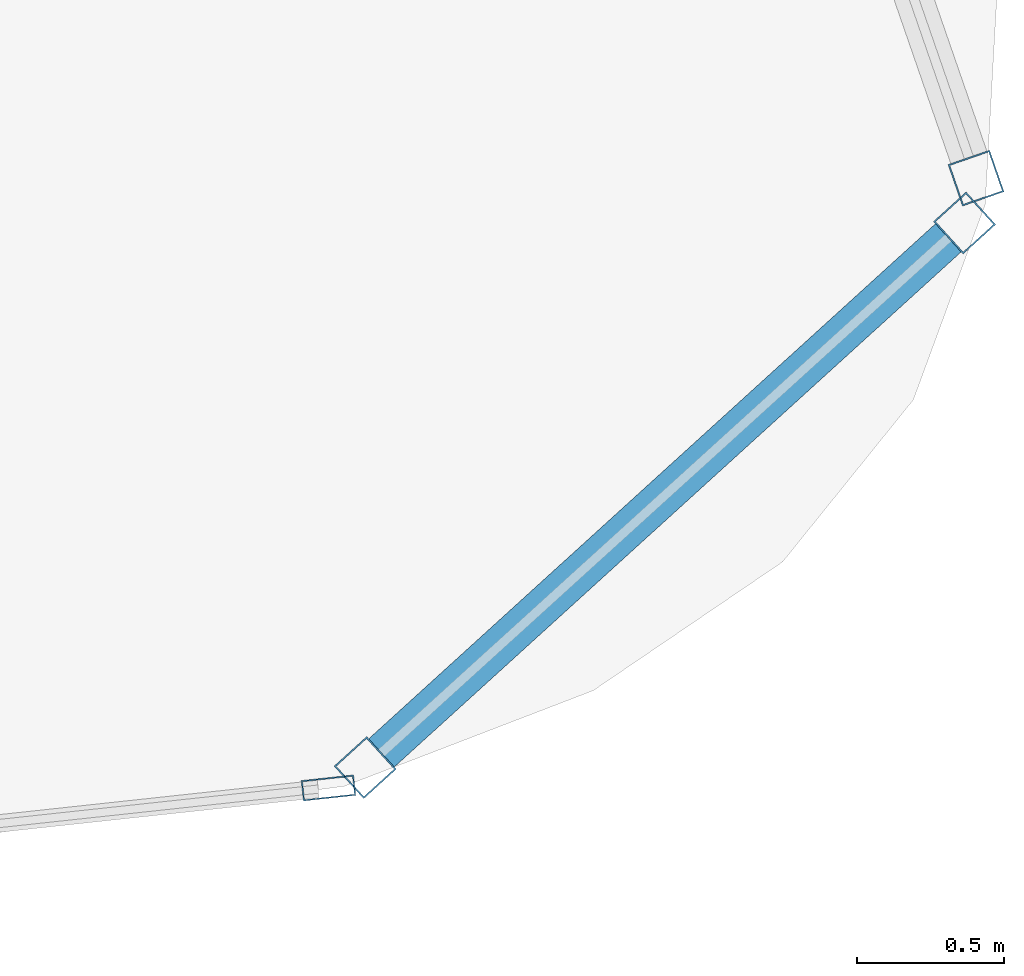
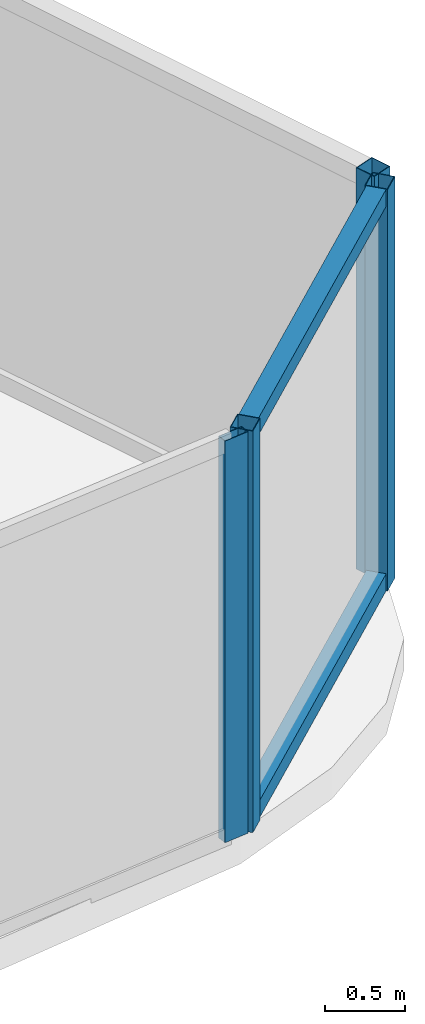
# One storey, part 16 of 37: 6 members, 3 elements without a shape of their own.
"""IFC4 building model written with IfcOpenShell, lengths in metres."""

import ifcopenshell
import ifcopenshell.guid

model = None  # the IFC model being written
_history = None  # IfcOwnerHistory: only IFC2X3 demands one
_inside = {}  # id of a spatial element -> (the spatial element, [elements in it])
_under = {}  # id of a project, library or spatial element -> (it, [spatial elements below it])
_declared = {}  # id of a project -> (the project, [libraries it declares])
_typed = {}  # id of a type object -> (the type object, [elements of that type])
_made_of = {}  # id of a material, layer set ... -> (it, [elements and type objects made of it])


def new_model(schema):
    """Start an empty IFC model of exactly this schema.

    Asked for "IFC4X3", IfcOpenShell would pick the latest addendum, in which some entities
    have other attributes; the version numbers below select the first issue.
    IFC2X3 requires an IfcOwnerHistory on every rooted entity: one is made here for all.
    """
    global model, _history
    if schema == "IFC4X3":
        model = ifcopenshell.file(schema_version=(4, 3, 0, 0))
    else:
        model = ifcopenshell.file(schema=schema)
    _inside.clear()
    _under.clear()
    _declared.clear()
    _typed.clear()
    _made_of.clear()
    _history = None
    if model.schema == "IFC2X3":
        org = make("IfcOrganization", Name="unknown")
        user = make(
            "IfcPersonAndOrganization",
            ThePerson=make("IfcPerson", FamilyName="unknown"),
            TheOrganization=org,
        )
        app = make(
            "IfcApplication",
            ApplicationDeveloper=org,
            Version="unknown",
            ApplicationFullName="unknown",
            ApplicationIdentifier="unknown",
        )
        _history = make(
            "IfcOwnerHistory",
            OwningUser=user,
            OwningApplication=app,
            ChangeAction="ADDED",
            CreationDate=0,
        )
    return model


def make(cls, **values):
    """One entity of the class cls with the attributes given. An attribute that is None is left unset."""
    return model.create_entity(
        cls, **{name: value for name, value in values.items() if value is not None}
    )


def rooted(cls, **values):
    """An entity with a GlobalId (a new one), such as an element, a storey or a relation."""
    return make(cls, GlobalId=ifcopenshell.guid.new(), OwnerHistory=_history, **values)


def si_unit(unit_type, name, prefix=None):
    """IfcSIUnit, for example si_unit("LENGTHUNIT", "METRE", prefix="MILLI")."""
    return make("IfcSIUnit", UnitType=unit_type, Prefix=prefix, Name=name)


def assignment(units):
    """IfcUnitAssignment: the units of a project."""
    return None if units is None else make("IfcUnitAssignment", Units=units)


def point(xyz):
    """IfcCartesianPoint."""
    return None if xyz is None else make("IfcCartesianPoint", Coordinates=xyz)


def direction(xyz):
    """IfcDirection."""
    return None if xyz is None else make("IfcDirection", DirectionRatios=xyz)


def frame(location, z_axis=None, x_axis=None):
    """IfcAxis2Placement3D, a coordinate frame: its origin and axes. An axis left out is left unset."""
    return make(
        "IfcAxis2Placement3D",
        Location=point(location),
        Axis=direction(z_axis),
        RefDirection=direction(x_axis),
    )


def frame_2d(location, x_axis=None):
    """IfcAxis2Placement2D, a coordinate frame in the plane: its origin and x axis."""
    return make(
        "IfcAxis2Placement2D", Location=point(location), RefDirection=direction(x_axis)
    )


def origin():
    """The frame at (0, 0, 0) with its axes left unset."""
    return frame((0.0, 0.0, 0.0))


def origin_2d():
    """The frame at (0, 0) in the plane with its x axis left unset."""
    return frame_2d((0.0, 0.0))


def place(relative_to, where):
    """IfcLocalPlacement: puts the frame where relative to a parent placement (None: the world)."""
    return make(
        "IfcLocalPlacement", PlacementRelTo=relative_to, RelativePlacement=where
    )


def context(
    kind, dimensions, precision=None, world=None, true_north=None, identifier=None
):
    """IfcGeometricRepresentationContext, for example the 3D "Model" context."""
    return make(
        "IfcGeometricRepresentationContext",
        ContextIdentifier=identifier,
        ContextType=kind,
        CoordinateSpaceDimension=dimensions,
        Precision=precision,
        WorldCoordinateSystem=world,
        TrueNorth=true_north,
    )


def subcontext(parent, identifier, kind, view, scale=None):
    """IfcGeometricRepresentationSubContext, for example "Body" below "Model"."""
    return make(
        "IfcGeometricRepresentationSubContext",
        ContextIdentifier=identifier,
        ContextType=kind,
        ParentContext=parent,
        TargetScale=scale,
        TargetView=view,
    )


def project(units=None, contexts=None):
    """IfcProject with its units and contexts."""
    return rooted(
        "IfcProject",
        Name="project",
        RepresentationContexts=contexts,
        UnitsInContext=assignment(units),
    )


def spatial(cls, under=None, at=None, **own):
    """A site, building, storey or space (cls), placed at a placement, below another one or the project."""
    s = rooted(cls, ObjectPlacement=at, **own)
    if under is not None:
        _under.setdefault(under.id(), (under, []))[1].append(s)
    return s


def profile(cls, at=None, kind="AREA", **sizes):
    """A parametric profile (cls). Its sizes go by their IFC names, for example OverallWidth=200.0."""
    return make(cls, ProfileType=kind, Position=at, **sizes)


def hollow_rectangle(**sizes):
    """IfcRectangleHollowProfileDef."""
    return profile("IfcRectangleHollowProfileDef", **sizes)


def extrude(swept, where, along, depth):
    """IfcExtrudedAreaSolid: the profile swept, set in the frame where, extruded along a direction by depth."""
    return make(
        "IfcExtrudedAreaSolid",
        SweptArea=swept,
        Position=where,
        ExtrudedDirection=direction(along),
        Depth=depth,
    )


def shape(context_of_items, identifier, shape_type, items):
    """IfcShapeRepresentation: the items that make up one representation, for example the "Body"."""
    return make(
        "IfcShapeRepresentation",
        ContextOfItems=context_of_items,
        RepresentationIdentifier=identifier,
        RepresentationType=shape_type,
        Items=items,
    )


def material(Name=None, Category=None):
    """IfcMaterial."""
    return make("IfcMaterial", Name=Name, Category=Category)


def layer(
    of_material, thickness, ventilated=None, Name=None, Category=None, Priority=None
):
    """IfcMaterialLayer: one layer of a wall or slab, of a material (None: an air gap)."""
    return make(
        "IfcMaterialLayer",
        Material=of_material,
        LayerThickness=thickness,
        IsVentilated=ventilated,
        Name=Name,
        Category=Category,
        Priority=Priority,
    )


def layer_set(layers, Name=None):
    """IfcMaterialLayerSet."""
    return make("IfcMaterialLayerSet", MaterialLayers=layers, LayerSetName=Name)


def material_profile(
    of_material, cross_section, Name=None, Category=None, Priority=None
):
    """IfcMaterialProfile: a cross section and its material."""
    return make(
        "IfcMaterialProfile",
        Name=Name,
        Material=of_material,
        Profile=cross_section,
        Priority=Priority,
        Category=Category,
    )


def profile_set(profiles, Name=None, composite=None):
    """IfcMaterialProfileSet."""
    return make(
        "IfcMaterialProfileSet",
        Name=Name,
        MaterialProfiles=profiles,
        CompositeProfile=composite,
    )


def made_of(thing, what):
    """Note that an element or type object is made of a material, layer set ...; save() writes the relation."""
    if what is not None:
        _made_of.setdefault(what.id(), (what, []))[1].append(thing)
    return thing


def type_object(cls, material=None, **own):
    """A type object (cls), such as IfcWallType, which elements share."""
    return made_of(rooted(cls, **own), material)


def element(
    cls,
    number,
    at=None,
    inside=None,
    cuts=None,
    type_object=None,
    material=None,
    context=None,
    identifier="Body",
    shape_type=None,
    held_by="IfcProductDefinitionShape",
    body=None,
    shapes=None,
    **own,
):
    """One element of the class cls, such as IfcWall. Its Tag is "e" and its number.

    at: its placement. inside: the storey or other place that contains it. cuts: it is an
    opening in that element (IfcRelVoidsElement). A single representation is given by context,
    identifier, shape_type and body (its items); several are given by shapes. held_by: the class
    of the entity that holds the representations. save() writes the other relations.
    """
    e = rooted(cls, Tag="e%d" % number, ObjectPlacement=at, **own)
    if body is not None:
        shapes = [shape(context, identifier, shape_type, body)]
    if shapes is not None:
        e.Representation = make(held_by, Representations=shapes)
    if inside is not None:
        _inside.setdefault(inside.id(), (inside, []))[1].append(e)
    if cuts is not None:
        rooted(
            "IfcRelVoidsElement", RelatingBuildingElement=cuts, RelatedOpeningElement=e
        )
    if type_object is not None:
        _typed.setdefault(type_object.id(), (type_object, []))[1].append(e)
    return made_of(e, material)


def aggregate(whole, parts):
    """IfcRelAggregates: a whole, such as a stair, and the parts it consists of."""
    return rooted("IfcRelAggregates", RelatingObject=whole, RelatedObjects=parts)


def save(model, path):
    """Write the relations noted so far, then the file.

    IfcRelAggregates (storeys below a building ...), IfcRelContainedInSpatialStructure (elements
    in a storey), IfcRelDefinesByType, IfcRelAssociatesMaterial and IfcRelDeclares: one each for
    every whole, place, type object, material and project.
    """
    for whole, parts in _under.values():
        aggregate(whole, parts)
    for where, things in _inside.values():
        rooted(
            "IfcRelContainedInSpatialStructure",
            RelatedElements=things,
            RelatingStructure=where,
        )
    for kind, things in _typed.values():
        rooted("IfcRelDefinesByType", RelatedObjects=things, RelatingType=kind)
    for what, things in _made_of.values():
        rooted("IfcRelAssociatesMaterial", RelatedObjects=things, RelatingMaterial=what)
    for by, libraries in _declared.values():
        rooted("IfcRelDeclares", RelatingContext=by, RelatedDefinitions=libraries)
    model.write(path)


model = new_model("IFC4")

# Units and contexts
model_context = context("Model", 3, precision=1e-05, world=origin(), true_north=direction((0.0, 1.0)))
body_context = subcontext(model_context, "Body", "Model", "MODEL_VIEW")
ifc_project = project(units=[si_unit("LENGTHUNIT", "METRE"), si_unit("AREAUNIT", "SQUARE_METRE"), si_unit("VOLUMEUNIT", "CUBIC_METRE"), si_unit("PLANEANGLEUNIT", "RADIAN"), si_unit("MASSUNIT", "GRAM", prefix="KILO")], contexts=[model_context])

# Site, building, storey
site_placement = place(None, origin())
site = spatial("IfcSite", under=ifc_project, at=site_placement, CompositionType="ELEMENT")
building_placement = place(site_placement, origin())
building = spatial("IfcBuilding", under=site, at=building_placement, Name="Orvanel Arch Residences", CompositionType="ELEMENT")
storey_placement = place(building_placement, frame((0.0, 0.0, 53.300048828125)))
storey = spatial("IfcBuildingStorey", under=building, at=storey_placement, Name="L14", CompositionType="ELEMENT", Elevation=53.300048828125)

# Curtain wall, members
ifc_material = material(Name="Bronze-anodised aluminium AA6063-T6", Category="aluminium")
ifc_layer_1 = layer(ifc_material, 0.18994140625)
ifc_layer_set_1 = layer_set([ifc_layer_1], Name="Bronze-anodised aluminium AA6063-T6")
curtain_wall_type_1 = type_object("IfcCurtainWallType", Name="CW5-CRN-SYS", PredefinedType="NOTDEFINED", material=ifc_layer_set_1)
curtain_wall_1_placement = place(storey_placement, origin())
curtain_wall_1 = element("IfcCurtainWall", 1, at=curtain_wall_1_placement, inside=storey, type_object=curtain_wall_type_1, Name="L14 CW5-CRN-SYS Unitised Curtain Wall", PredefinedType="NOTDEFINED")
ifc_material_profile_1 = material_profile(ifc_material, hollow_rectangle(XDim=0.14990234375, YDim=0.14990234375, WallThickness=0.0048828125, at=origin_2d()), Name="ALU150x150x5")
ifc_profile_set_1 = profile_set([ifc_material_profile_1], Name="Bronze-anodised aluminium AA6063-T6")
member_type_1 = type_object("IfcMemberType", Name="MUL-150x150", PredefinedType="MULLION", material=ifc_profile_set_1)
member_1_placement = place(storey_placement, frame((59.25146484375, 3.843505859375, 0.0), z_axis=(0.0, 0.0, 1.0), x_axis=(-0.672467632869, 0.740126531577, 0.0)))
member_1 = element("IfcMember", 2, at=member_1_placement, type_object=member_type_1, Name="CW-S5 mullion 1", PredefinedType="MULLION", context=body_context, shape_type="SweptSolid", body=[
    extrude(hollow_rectangle(XDim=0.14990234375, YDim=0.14990234375, WallThickness=0.0048828125, at=origin_2d()), origin(), (0.0, 0.0, 1.0), 3.06005859375),
])
member_2_placement = place(storey_placement, frame((61.29541015625, 5.70068359375, 0.0), z_axis=(0.0, 0.0, 1.0), x_axis=(-0.672467632869, 0.740126531577, 0.0)))
member_2 = element("IfcMember", 3, at=member_2_placement, type_object=member_type_1, Name="CW-S5 mullion 2", PredefinedType="MULLION", context=body_context, shape_type="SweptSolid", body=[
    extrude(hollow_rectangle(XDim=0.14990234375, YDim=0.14990234375, WallThickness=0.0048828125, at=origin_2d()), origin(), (0.0, 0.0, 1.0), 3.06005859375),
])

# Curtain wall, member
curtain_wall_2_placement = place(storey_placement, origin())
curtain_wall_2 = element("IfcCurtainWall", 4, at=curtain_wall_2_placement, inside=storey, type_object=curtain_wall_type_1, Name="L14 CW5-CRN-SYS Unitised Curtain Wall", PredefinedType="NOTDEFINED")
member_3_placement = place(storey_placement, frame((61.33447265625, 5.853759765625, 0.0), z_axis=(0.0, 0.0, 1.0), x_axis=(-0.944975613597, -0.327140779645, 0.0)))
member_3 = element("IfcMember", 5, at=member_3_placement, type_object=member_type_1, Name="CW-S5 mullion 1", PredefinedType="MULLION", context=body_context, shape_type="SweptSolid", body=[
    extrude(hollow_rectangle(XDim=0.14990234375, YDim=0.14990234375, WallThickness=0.0048828125, at=origin_2d()), origin(), (0.0, 0.0, 1.0), 3.06005859375),
])
aggregate(curtain_wall_2, [member_3])

ifc_layer_2 = layer(ifc_material, 0.179931640625)
ifc_layer_set_2 = layer_set([ifc_layer_2], Name="Bronze-anodised aluminium AA6063-T6")
curtain_wall_type_2 = type_object("IfcCurtainWallType", Name="CW2-LOW-SYS", PredefinedType="NOTDEFINED", material=ifc_layer_set_2)
curtain_wall_3_placement = place(storey_placement, origin())
curtain_wall_3 = element("IfcCurtainWall", 6, at=curtain_wall_3_placement, inside=storey, type_object=curtain_wall_type_2, Name="L14 CW2-LOW-SYS Unitised Curtain Wall", PredefinedType="NOTDEFINED")
ifc_material_profile_2 = material_profile(ifc_material, hollow_rectangle(XDim=0.070068359375, YDim=0.179931640625, WallThickness=0.00439453125, at=origin_2d()), Name="ALU180x70x4.5")
ifc_profile_set_2 = profile_set([ifc_material_profile_2], Name="Bronze-anodised aluminium AA6063-T6")
member_type_2 = type_object("IfcMemberType", Name="MUL-180x70", PredefinedType="MULLION", material=ifc_profile_set_2)
member_4_placement = place(storey_placement, frame((59.126220703125, 3.774169921875, 0.0), z_axis=(0.0, 0.0, 1.0), x_axis=(-0.107357145401, 0.994220520474, 0.0)))
member_4 = element("IfcMember", 7, at=member_4_placement, type_object=member_type_2, Name="CW-S2 mullion 4", PredefinedType="MULLION", context=body_context, shape_type="SweptSolid", body=[
    extrude(hollow_rectangle(XDim=0.070068359375, YDim=0.179931640625, WallThickness=0.00439453125, at=origin_2d()), origin(), (0.0, 0.0, 1.0), 3.06005859375),
])
aggregate(curtain_wall_3, [member_4])

# Member
ifc_material_profile_3 = material_profile(ifc_material, hollow_rectangle(XDim=0.1298828125, YDim=0.1298828125, WallThickness=0.00439453125, at=origin_2d()), Name="ALU130x130x4.5")
ifc_profile_set_3 = profile_set([ifc_material_profile_3], Name="Bronze-anodised aluminium AA6063-T6")
member_type_3 = type_object("IfcMemberType", Name="TRN-130x130", PredefinedType="USERDEFINED", material=ifc_profile_set_3)
member_5_placement = place(storey_placement, frame((59.30712890625, 3.893798828125, 0.06494140625), z_axis=(0.740092331848, 0.672505271607, 0.0), x_axis=(-0.672505271607, 0.740092331848, 0.0)))
member_5 = element("IfcMember", 8, at=member_5_placement, type_object=member_type_3, Name="CW-S5 transom 1.1", ObjectType="TRANSOM", PredefinedType="USERDEFINED", context=body_context, shape_type="SweptSolid", body=[
    extrude(hollow_rectangle(XDim=0.1298828125, YDim=0.1298828125, WallThickness=0.00439453125, at=origin_2d()), origin(), (0.0, 0.0, 1.0), 2.611572265625),
])

member_6_placement = place(storey_placement, frame((59.30712890625, 3.893798828125, 2.994873046875), z_axis=(0.740092331848, 0.672505271607, 0.0), x_axis=(-0.672505271607, 0.740092331848, 0.0)))
member_6 = element("IfcMember", 9, at=member_6_placement, type_object=member_type_3, Name="CW-S5 transom 1.2", ObjectType="TRANSOM", PredefinedType="USERDEFINED", context=body_context, shape_type="SweptSolid", body=[
    extrude(hollow_rectangle(XDim=0.1298828125, YDim=0.1298828125, WallThickness=0.00439453125, at=origin_2d()), origin(), (0.0, 0.0, 1.0), 2.611572265625),
])

aggregate(curtain_wall_1, [member_1, member_2, member_5, member_6])

save(model, "model.ifc")
